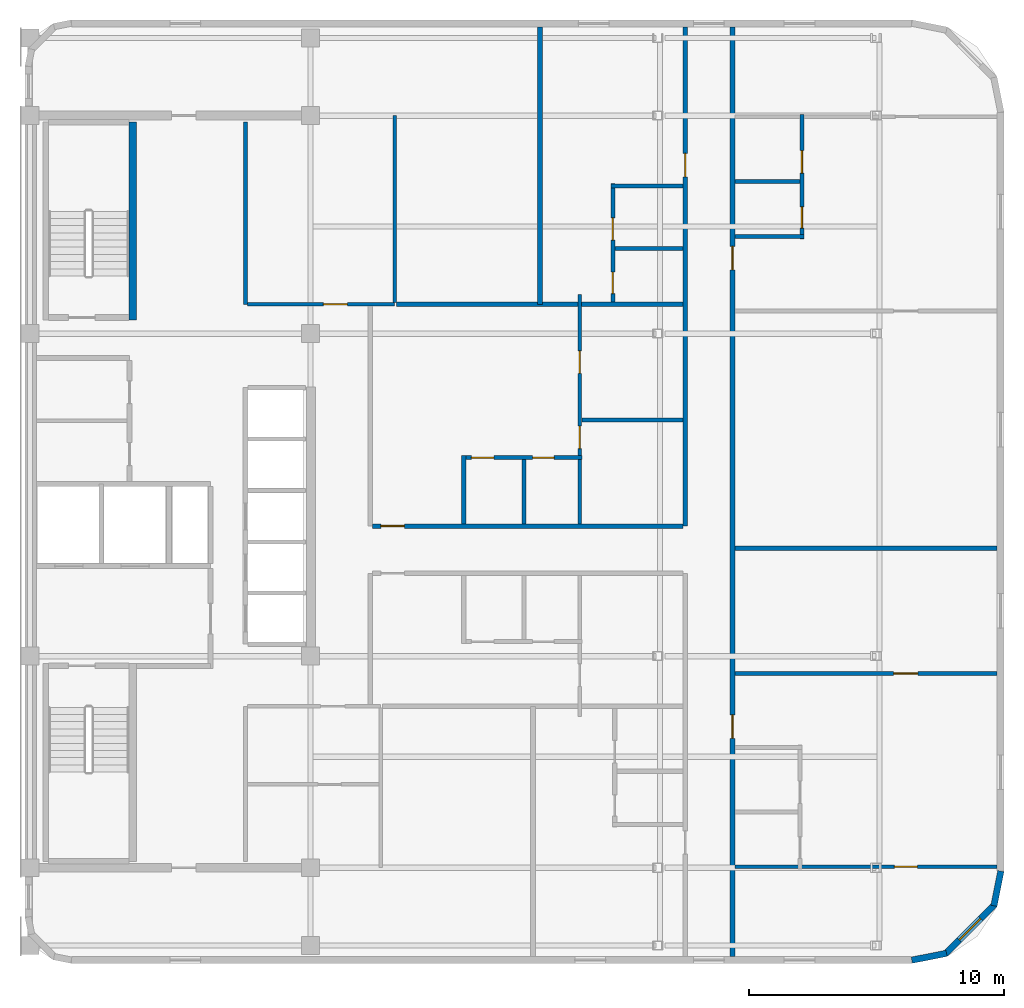
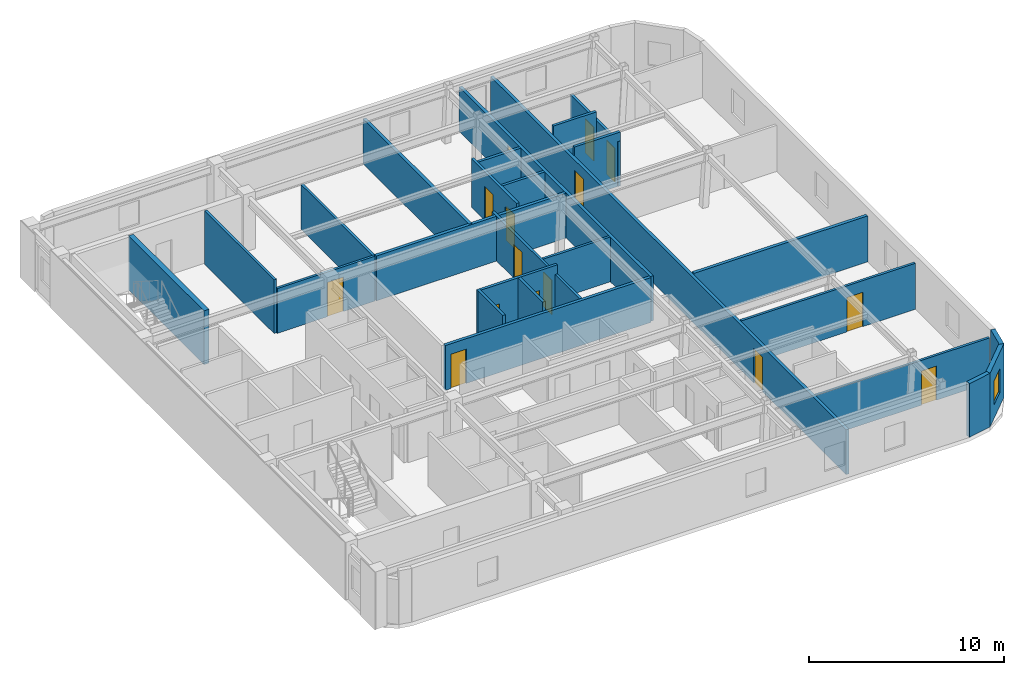
# One storey, part 4 of 6: 26 walls, 15 doors, 1 window, 16 openings.
"""IFC4 building model written with IfcOpenShell, lengths in metres."""

from ifc_helpers import new_model, si_unit, direction, frame, frame_2d, origin, place, context, subcontext, project, spatial, rectangle, extrude, material, layer, layer_set, type_object, element, fill, save


model = new_model("IFC4")

# Units and contexts
model_context = context("Model", 3, precision=1e-05, world=origin(), true_north=direction((0.0, 1.0)))
body_context = subcontext(model_context, "Body", "Model", "MODEL_VIEW")
ifc_project = project(units=[si_unit("LENGTHUNIT", "METRE"), si_unit("AREAUNIT", "SQUARE_METRE"), si_unit("VOLUMEUNIT", "CUBIC_METRE"), si_unit("PLANEANGLEUNIT", "RADIAN"), si_unit("MASSUNIT", "GRAM", prefix="KILO")], contexts=[model_context])

# Site, building, storey
site_placement = place(None, origin())
site = spatial("IfcSite", under=ifc_project, at=site_placement, CompositionType="ELEMENT")
building_placement = place(site_placement, origin())
building = spatial("IfcBuilding", under=site, at=building_placement, Name="Ochreholt Gables", CompositionType="ELEMENT")
storey_placement = place(building_placement, frame((0.0, 0.0, 253.199951171875)))
storey = spatial("IfcBuildingStorey", under=building, at=storey_placement, Name="L66", CompositionType="ELEMENT", Elevation=253.199951171875)

# Wall
ifc_material_1 = material(Name="Precast concrete 40 MPa", Category="concrete")
ifc_layer_1 = layer(ifc_material_1, 0.25, Name="Precast concrete 40 MPa")
ifc_layer_set_1 = layer_set([ifc_layer_1], Name="Precast concrete 40 MPa")
wall_type_1 = type_object("IfcWallType", Name="WALL-EXT-CNR", PredefinedType="SOLIDWALL", material=ifc_layer_set_1)
wall_1_placement = place(storey_placement, frame((58.783447265625, 5.624267578125, 0.0), z_axis=(0.0, 0.0, 1.0), x_axis=(0.980809899341, 0.19496651342, 0.0)))
element("IfcWall", 1, at=wall_1_placement, inside=storey, type_object=wall_type_1, Name="L66 Rounded Corner Wall SE-1", PredefinedType="SOLIDWALL", context=body_context, shape_type="SweptSolid", body=[
    extrude(rectangle(XDim=1.388671875, YDim=0.25, at=frame_2d((0.6943359375, 0.0))), origin(), (0.0, 0.0, 1.0), 3.360107421875),
])

# Wall, opening, window
wall_2_placement = place(storey_placement, frame((60.094970703125, 5.867919921875, 0.0), z_axis=(0.0, 0.0, 1.0), x_axis=(0.707106781187, 0.707106781187, 0.0)))
wall_2 = element("IfcWall", 2, at=wall_2_placement, inside=storey, type_object=wall_type_1, Name="L66 Rounded Corner Wall SE-2", PredefinedType="SOLIDWALL", context=body_context, shape_type="SweptSolid", body=[
    extrude(rectangle(XDim=2.7392578125, YDim=0.25, at=frame_2d((1.36962890625, 0.0))), origin(), (0.0, 0.0, 1.0), 3.360107421875),
])
opening_1_placement = place(wall_2_placement, frame((0.769775390625, 0.0, 0.85009765625)))
opening_1 = element("IfcOpeningElement", 3, at=opening_1_placement, cuts=wall_2, Name="Opening WN-3", PredefinedType="OPENING", context=body_context, shape_type="SweptSolid", body=[
    extrude(rectangle(XDim=1.199951171875, YDim=1.5, at=frame_2d((0.60009765625, 0.75))), frame((0.0, 0.135009765625, 0.0), z_axis=(0.0, -1.0, 0.0), x_axis=(1.0, 0.0, 0.0)), (0.0, 0.0, 1.0), 0.27001953125),
])
ifc_material_2 = material(Name="Triple-Glazed Thermally Broken Aluminium Window", Category="aluminium")
window_type = type_object("IfcWindowType", Name="WIN-RES-1200", PartitioningType="SINGLE_PANEL", PredefinedType="WINDOW", material=ifc_material_2)
window_placement = place(opening_1_placement, origin())
window = element("IfcWindow", 4, at=window_placement, inside=storey, type_object=window_type, Name="L66 Corner Bedroom Window SE", OverallHeight=1.5, OverallWidth=1.199951171875, PartitioningType="SINGLE_PANEL", PredefinedType="WINDOW", context=body_context, shape_type="SweptSolid", body=[
    extrude(rectangle(XDim=1.199951171875, YDim=1.5, at=frame_2d((0.60009765625, 0.75))), frame((0.0, 0.030029296875, 0.0), z_axis=(0.0, -1.0, 0.0), x_axis=(1.0, 0.0, 0.0)), (0.0, 0.0, 1.0), 0.06005859375),
])
fill(opening_1, window)

# Wall
wall_3_placement = place(storey_placement, frame((62.0048828125, 7.75439453125, 0.0), z_axis=(0.0, 0.0, 1.0), x_axis=(0.195135625965, 0.9807762678, 0.0)))
element("IfcWall", 5, at=wall_3_placement, inside=storey, type_object=wall_type_1, Name="L66 Rounded Corner Wall SE-3", PredefinedType="SOLIDWALL", context=body_context, shape_type="SweptSolid", body=[
    extrude(rectangle(XDim=1.388671875, YDim=0.25, at=frame_2d((0.6943359375, 0.0))), origin(), (0.0, 0.0, 1.0), 3.360107421875),
])

# Wall, opening, door
ifc_material_3 = material(Name="Fire-Rated Gypsum Acoustic Partition", Category="gypsum")
ifc_layer_2 = layer(ifc_material_3, 0.179931640625, Name="Fire-Rated Gypsum Acoustic Partition")
ifc_layer_set_2 = layer_set([ifc_layer_2], Name="Fire-Rated Gypsum Acoustic Partition")
wall_type_2 = type_object("IfcWallType", Name="WALL-INT-CR180", PredefinedType="STANDARD", material=ifc_layer_set_2)
wall_4_placement = place(storey_placement, frame((49.89990234375, 22.64990234375, 0.0), z_axis=(0.0, 0.0, 1.0), x_axis=(0.0, 1.0, 0.0)))
wall_4 = element("IfcWall", 6, at=wall_4_placement, inside=storey, type_object=wall_type_2, Name="L66 Interior Wall WI-C3GW2-L66", PredefinedType="STANDARD", context=body_context, shape_type="SweptSolid", body=[
    extrude(rectangle(XDim=19.580078125, YDim=0.179931640625, at=frame_2d((9.7900390625, 0.0))), origin(), (0.0, 0.0, 1.0), 2.802978515625),
])
opening_2_placement = place(wall_4_placement, frame((13.699951171875, 0.0, 0.0)))
opening_2 = element("IfcOpeningElement", 7, at=opening_2_placement, cuts=wall_4, Name="Opening D-UN1", PredefinedType="OPENING", context=body_context, shape_type="SweptSolid", body=[
    extrude(rectangle(XDim=0.919921875, YDim=2.14990234375, at=frame_2d((0.4599609375, 1.074951171875))), frame((0.0, 0.099853515625, 0.0), z_axis=(0.0, -1.0, 0.0), x_axis=(1.0, 0.0, 0.0)), (0.0, 0.0, 1.0), 0.199951171875),
])
ifc_material_4 = material(Name="Engineered Oak Timber", Category="wood")
door_type_1 = type_object("IfcDoorType", Name="DR-INT-UNT920", OperationType="NOTDEFINED", PredefinedType="DOOR", material=ifc_material_4)
door_1_placement = place(opening_2_placement, origin())
door_1 = element("IfcDoor", 8, at=door_1_placement, inside=storey, type_object=door_type_1, Name="L66 Door D-U-L66NM2-ENT", OperationType="SINGLE_SWING_LEFT", OverallHeight=2.14990234375, OverallWidth=0.919921875, PredefinedType="DOOR", context=body_context, shape_type="SweptSolid", body=[
    extrude(rectangle(XDim=0.919921875, YDim=2.14990234375, at=frame_2d((0.4599609375, 1.074951171875))), frame((0.0, 0.02490234375, 0.0), z_axis=(0.0, -1.0, 0.0), x_axis=(1.0, 0.0, 0.0)), (0.0, 0.0, 1.0), 0.050048828125),
])
fill(opening_2, door_1)

wall_5_placement = place(storey_placement, frame((37.639892578125, 22.64990234375, 0.0), z_axis=(0.0, 0.0, 1.0), x_axis=(1.0, 0.0, 0.0)))
wall_5 = element("IfcWall", 9, at=wall_5_placement, inside=storey, type_object=wall_type_2, Name="L66 Interior Wall WI-C3BRN1-L66", PredefinedType="STANDARD", context=body_context, shape_type="SweptSolid", body=[
    extrude(rectangle(XDim=12.170166015625, YDim=0.179931640625, at=frame_2d((6.0849609375, 0.0))), origin(), (0.0, 0.0, 1.0), 2.802978515625),
])
opening_3_placement = place(wall_5_placement, frame((0.320068359375, 0.0, 0.0)))
opening_3 = element("IfcOpeningElement", 10, at=opening_3_placement, cuts=wall_5, Name="Opening D-UN1", PredefinedType="OPENING", context=body_context, shape_type="SweptSolid", body=[
    extrude(rectangle(XDim=0.919921875, YDim=2.14990234375, at=frame_2d((0.4599609375, 1.074951171875))), frame((0.0, 0.099853515625, 0.0), z_axis=(0.0, -1.0, 0.0), x_axis=(1.0, 0.0, 0.0)), (0.0, 0.0, 1.0), 0.199951171875),
])
door_2_placement = place(opening_3_placement, origin())
door_2 = element("IfcDoor", 11, at=door_2_placement, inside=storey, type_object=door_type_1, Name="L66 Door D-U-L66NM1-ENT", OperationType="SINGLE_SWING_RIGHT", OverallHeight=2.14990234375, OverallWidth=0.919921875, PredefinedType="DOOR", context=body_context, shape_type="SweptSolid", body=[
    extrude(rectangle(XDim=0.919921875, YDim=2.14990234375, at=frame_2d((0.4599609375, 1.074951171875))), frame((0.0, 0.02490234375, 0.0), z_axis=(0.0, -1.0, 0.0), x_axis=(1.0, 0.0, 0.0)), (0.0, 0.0, 1.0), 0.050048828125),
])
fill(opening_3, door_2)

# Wall, openings, doors
wall_6_placement = place(storey_placement, frame((51.75, 5.77001953125, 0.0), z_axis=(0.0, 0.0, 1.0), x_axis=(0.0, 1.0, 0.0)))
wall_6 = element("IfcWall", 12, at=wall_6_placement, inside=storey, type_object=wall_type_2, Name="L66 Interior Wall WI-C3GE-L66", PredefinedType="STANDARD", context=body_context, shape_type="SweptSolid", body=[
    extrude(rectangle(XDim=36.4599609375, YDim=0.179931640625, at=frame_2d((18.22998046875, 0.0))), origin(), (0.0, 0.0, 1.0), 2.802978515625),
])
opening_4_placement = place(wall_6_placement, frame((8.55859375, 0.0, 0.0)))
opening_4 = element("IfcOpeningElement", 13, at=opening_4_placement, cuts=wall_6, Name="Opening D-UN1", PredefinedType="OPENING", context=body_context, shape_type="SweptSolid", body=[
    extrude(rectangle(XDim=0.919921875, YDim=2.14990234375, at=frame_2d((0.4599609375, 1.074951171875))), frame((0.0, 0.099853515625, 0.0), z_axis=(0.0, -1.0, 0.0), x_axis=(1.0, 0.0, 0.0)), (0.0, 0.0, 1.0), 0.199951171875),
])
opening_5_placement = place(wall_6_placement, frame((26.93310546875, 0.0, 0.0)))
opening_5 = element("IfcOpeningElement", 14, at=opening_5_placement, cuts=wall_6, Name="Opening D-UN1", PredefinedType="OPENING", context=body_context, shape_type="SweptSolid", body=[
    extrude(rectangle(XDim=0.919921875, YDim=2.14990234375, at=frame_2d((0.4599609375, 1.074951171875))), frame((0.0, 0.099853515625, 0.0), z_axis=(0.0, -1.0, 0.0), x_axis=(1.0, 0.0, 0.0)), (0.0, 0.0, 1.0), 0.199951171875),
])
door_3_placement = place(opening_4_placement, origin())
door_3 = element("IfcDoor", 15, at=door_3_placement, inside=storey, type_object=door_type_1, Name="L66 Door D-U-L66E1-ENT", OperationType="SINGLE_SWING_RIGHT", OverallHeight=2.14990234375, OverallWidth=0.919921875, PredefinedType="DOOR", context=body_context, shape_type="SweptSolid", body=[
    extrude(rectangle(XDim=0.919921875, YDim=2.14990234375, at=frame_2d((0.4599609375, 1.074951171875))), frame((0.0, 0.02490234375, 0.0), z_axis=(0.0, -1.0, 0.0), x_axis=(1.0, 0.0, 0.0)), (0.0, 0.0, 1.0), 0.050048828125),
])
fill(opening_4, door_3)
door_4_placement = place(opening_5_placement, origin())
door_4 = element("IfcDoor", 16, at=door_4_placement, inside=storey, type_object=door_type_1, Name="L66 Door D-U-L66E2-ENT", OperationType="SINGLE_SWING_LEFT", OverallHeight=2.14990234375, OverallWidth=0.919921875, PredefinedType="DOOR", context=body_context, shape_type="SweptSolid", body=[
    extrude(rectangle(XDim=0.919921875, YDim=2.14990234375, at=frame_2d((0.4599609375, 1.074951171875))), frame((0.0, 0.02490234375, 0.0), z_axis=(0.0, -1.0, 0.0), x_axis=(1.0, 0.0, 0.0)), (0.0, 0.0, 1.0), 0.050048828125),
])
fill(opening_5, door_4)

# Walls
ifc_material_5 = material(Name="Double-Stud Acoustic Demising Wall", Category="gypsum")
ifc_layer_3 = layer(ifc_material_5, 0.18505859375, Name="Double-Stud Acoustic Demising Wall")
ifc_layer_set_3 = layer_set([ifc_layer_3], Name="Double-Stud Acoustic Demising Wall")
wall_type_3 = type_object("IfcWallType", Name="WALL-INT-DM185", PredefinedType="PARTITIONING", material=ifc_layer_set_3)
wall_7_placement = place(storey_placement, frame((51.840087890625, 21.780029296875, 0.0), z_axis=(0.0, 0.0, 1.0), x_axis=(1.0, 0.0, 0.0)))
element("IfcWall", 17, at=wall_7_placement, inside=storey, type_object=wall_type_3, Name="L66 Interior Wall WI-C3UDE2-L66", PredefinedType="PARTITIONING", context=body_context, shape_type="SweptSolid", body=[
    extrude(rectangle(XDim=10.289794921875, YDim=0.18505859375, at=frame_2d((5.14501953125, 0.0))), origin(), (0.0, 0.0, 1.0), 2.879150390625),
])
wall_8_placement = place(storey_placement, frame((44.199951171875, 31.35009765625, 0.0), z_axis=(0.0, 0.0, 1.0), x_axis=(0.0, 1.0, 0.0)))
element("IfcWall", 18, at=wall_8_placement, inside=storey, type_object=wall_type_3, Name="L66 Interior Wall WI-C3NMX-L66", PredefinedType="PARTITIONING", context=body_context, shape_type="SweptSolid", body=[
    extrude(rectangle(XDim=10.8798828125, YDim=0.18505859375, at=frame_2d((5.43994140625, 0.0))), origin(), (0.0, 0.0, 1.0), 2.802978515625),
])
wall_9_placement = place(storey_placement, frame((38.572509765625, 31.35009765625, 0.0), z_axis=(0.0, 0.0, 1.0), x_axis=(1.0, 0.0, 0.0)))
element("IfcWall", 19, at=wall_9_placement, inside=storey, type_object=wall_type_3, Name="L66 Interior Wall WI-C3NMY-L66", PredefinedType="PARTITIONING", context=body_context, shape_type="SweptSolid", body=[
    extrude(rectangle(XDim=11.237548828125, YDim=0.18505859375, at=frame_2d((5.61865234375, 0.0))), origin(), (0.0, 0.0, 1.0), 2.802978515625),
])
ifc_material_6 = material(Name="Moisture-Resistant Plumbing Chase Wall", Category="gypsum")
ifc_layer_4 = layer(ifc_material_6, 0.159912109375, Name="Moisture-Resistant Plumbing Chase Wall")
ifc_layer_set_4 = layer_set([ifc_layer_4], Name="Moisture-Resistant Plumbing Chase Wall")
wall_type_4 = type_object("IfcWallType", Name="WALL-INT-PL160", PredefinedType="PLUMBINGWALL", material=ifc_layer_set_4)
wall_10_placement = place(storey_placement, frame((51.840087890625, 34.0029296875, 0.0), z_axis=(0.0, 0.0, 1.0), x_axis=(1.0, 0.0, 0.0)))
element("IfcWall", 20, at=wall_10_placement, inside=storey, type_object=wall_type_4, Name="L66 Interior Wall WU-L66E2-FYS", PredefinedType="PLUMBINGWALL", context=body_context, shape_type="SweptSolid", body=[
    extrude(rectangle(XDim=2.7119140625, YDim=0.159912109375, at=frame_2d((1.35595703125, 0.0))), origin(), (0.0, 0.0, 1.0), 3.360107421875),
])

# Wall, openings, doors
wall_11_placement = place(storey_placement, frame((54.471923828125, 33.9130859375, 0.0), z_axis=(0.0, 0.0, 1.0), x_axis=(0.0, 1.0, 0.0)))
wall_11 = element("IfcWall", 21, at=wall_11_placement, inside=storey, type_object=wall_type_4, Name="L66 Interior Wall WU-L66E2-WX", PredefinedType="PLUMBINGWALL", context=body_context, shape_type="SweptSolid", body=[
    extrude(rectangle(XDim=4.886962890625, YDim=0.159912109375, at=frame_2d((2.443359375, 0.0))), origin(), (0.0, 0.0, 1.0), 2.802978515625),
])
opening_6_placement = place(wall_11_placement, frame((0.419921875, 0.0, 0.0)))
opening_6 = element("IfcOpeningElement", 22, at=opening_6_placement, cuts=wall_11, Name="Opening D-BT2", PredefinedType="OPENING", context=body_context, shape_type="SweptSolid", body=[
    extrude(rectangle(XDim=0.840087890625, YDim=2.1201171875, at=frame_2d((0.419921875, 1.06005859375))), frame((0.0, 0.08984375, 0.0), z_axis=(0.0, -1.0, 0.0), x_axis=(1.0, 0.0, 0.0)), (0.0, 0.0, 1.0), 0.179931640625),
])
opening_7_placement = place(wall_11_placement, frame((2.585205078125, 0.0, 0.0)))
opening_7 = element("IfcOpeningElement", 23, at=opening_7_placement, cuts=wall_11, Name="Opening D-GN2", PredefinedType="OPENING", context=body_context, shape_type="SweptSolid", body=[
    extrude(rectangle(XDim=0.8798828125, YDim=2.1201171875, at=frame_2d((0.43994140625, 1.06005859375))), frame((0.0, 0.08984375, 0.0), z_axis=(0.0, -1.0, 0.0), x_axis=(1.0, 0.0, 0.0)), (0.0, 0.0, 1.0), 0.179931640625),
])
door_type_2 = type_object("IfcDoorType", Name="DR-INT-BTH840", OperationType="NOTDEFINED", PredefinedType="DOOR", material=ifc_material_4)
door_5_placement = place(opening_6_placement, origin())
door_5 = element("IfcDoor", 24, at=door_5_placement, inside=storey, type_object=door_type_2, Name="L66 Door D-U-L66E2-BTH", OperationType="SINGLE_SWING_RIGHT", OverallHeight=2.1201171875, OverallWidth=0.840087890625, PredefinedType="DOOR", context=body_context, shape_type="SweptSolid", body=[
    extrude(rectangle(XDim=0.840087890625, YDim=2.1201171875, at=frame_2d((0.419921875, 1.06005859375))), frame((0.0, 0.02490234375, 0.0), z_axis=(0.0, -1.0, 0.0), x_axis=(1.0, 0.0, 0.0)), (0.0, 0.0, 1.0), 0.050048828125),
])
fill(opening_6, door_5)
door_type_3 = type_object("IfcDoorType", Name="DR-INT-GEN880", OperationType="NOTDEFINED", PredefinedType="DOOR", material=ifc_material_4)
door_6_placement = place(opening_7_placement, origin())
door_6 = element("IfcDoor", 25, at=door_6_placement, inside=storey, type_object=door_type_3, Name="L66 Door D-U-L66E2-KIT", OperationType="SINGLE_SWING_LEFT", OverallHeight=2.1201171875, OverallWidth=0.8798828125, PredefinedType="DOOR", context=body_context, shape_type="SweptSolid", body=[
    extrude(rectangle(XDim=0.8798828125, YDim=2.1201171875, at=frame_2d((0.43994140625, 1.06005859375))), frame((0.0, 0.02490234375, 0.0), z_axis=(0.0, -1.0, 0.0), x_axis=(1.0, 0.0, 0.0)), (0.0, 0.0, 1.0), 0.050048828125),
])
fill(opening_7, door_6)

# Wall
wall_12_placement = place(storey_placement, frame((51.840087890625, 36.168212890625, 0.0), z_axis=(0.0, 0.0, 1.0), x_axis=(1.0, 0.0, 0.0)))
element("IfcWall", 26, at=wall_12_placement, inside=storey, type_object=wall_type_4, Name="L66 Interior Wall WU-L66E2-WK", PredefinedType="PLUMBINGWALL", context=body_context, shape_type="SweptSolid", body=[
    extrude(rectangle(XDim=2.552001953125, YDim=0.159912109375, at=frame_2d((1.27587890625, 0.0))), origin(), (0.0, 0.0, 1.0), 3.360107421875),
])

# Wall, openings, doors
wall_13_placement = place(storey_placement, frame((41.1298828125, 25.33251953125, 0.0), z_axis=(0.0, 0.0, 1.0), x_axis=(1.0, 0.0, 0.0)))
wall_13 = element("IfcWall", 27, at=wall_13_placement, inside=storey, type_object=wall_type_4, Name="L66 Interior Wall WU-L66NM1-WY", PredefinedType="PLUMBINGWALL", context=body_context, shape_type="SweptSolid", body=[
    extrude(rectangle(XDim=4.710205078125, YDim=0.159912109375, at=frame_2d((2.35498046875, 0.0))), origin(), (0.0, 0.0, 1.0), 3.360107421875),
])
opening_8_placement = place(wall_13_placement, frame((0.3798828125, 0.0, 0.0)))
opening_8 = element("IfcOpeningElement", 28, at=opening_8_placement, cuts=wall_13, Name="Opening D-GN2", PredefinedType="OPENING", context=body_context, shape_type="SweptSolid", body=[
    extrude(rectangle(XDim=0.8798828125, YDim=2.1201171875, at=frame_2d((0.43994140625, 1.06005859375))), frame((0.0, 0.08984375, 0.0), z_axis=(0.0, -1.0, 0.0), x_axis=(1.0, 0.0, 0.0)), (0.0, 0.0, 1.0), 0.179931640625),
])
opening_9_placement = place(wall_13_placement, frame((2.785888671875, 0.0, 0.0)))
opening_9 = element("IfcOpeningElement", 29, at=opening_9_placement, cuts=wall_13, Name="Opening D-BT2", PredefinedType="OPENING", context=body_context, shape_type="SweptSolid", body=[
    extrude(rectangle(XDim=0.840087890625, YDim=2.1201171875, at=frame_2d((0.419921875, 1.06005859375))), frame((0.0, 0.08984375, 0.0), z_axis=(0.0, -1.0, 0.0), x_axis=(1.0, 0.0, 0.0)), (0.0, 0.0, 1.0), 0.179931640625),
])
door_7_placement = place(opening_9_placement, origin())
door_7 = element("IfcDoor", 30, at=door_7_placement, inside=storey, type_object=door_type_2, Name="L66 Door D-U-L66NM1-BTH", OperationType="SINGLE_SWING_RIGHT", OverallHeight=2.1201171875, OverallWidth=0.840087890625, PredefinedType="DOOR", context=body_context, shape_type="SweptSolid", body=[
    extrude(rectangle(XDim=0.840087890625, YDim=2.1201171875, at=frame_2d((0.419921875, 1.06005859375))), frame((0.0, 0.02490234375, 0.0), z_axis=(0.0, -1.0, 0.0), x_axis=(1.0, 0.0, 0.0)), (0.0, 0.0, 1.0), 0.050048828125),
])
fill(opening_9, door_7)
door_8_placement = place(opening_8_placement, origin())
door_8 = element("IfcDoor", 31, at=door_8_placement, inside=storey, type_object=door_type_3, Name="L66 Door D-U-L66NM1-KIT", OperationType="SINGLE_SWING_LEFT", OverallHeight=2.1201171875, OverallWidth=0.8798828125, PredefinedType="DOOR", context=body_context, shape_type="SweptSolid", body=[
    extrude(rectangle(XDim=0.8798828125, YDim=2.1201171875, at=frame_2d((0.43994140625, 1.06005859375))), frame((0.0, 0.02490234375, 0.0), z_axis=(0.0, -1.0, 0.0), x_axis=(1.0, 0.0, 0.0)), (0.0, 0.0, 1.0), 0.050048828125),
])
fill(opening_8, door_8)

# Walls
wall_14_placement = place(storey_placement, frame((41.2099609375, 22.739990234375, 0.0), z_axis=(0.0, 0.0, 1.0), x_axis=(0.0, 1.0, 0.0)))
element("IfcWall", 32, at=wall_14_placement, inside=storey, type_object=wall_type_4, Name="L66 Interior Wall WU-L66NM1-FY", PredefinedType="PLUMBINGWALL", context=body_context, shape_type="SweptSolid", body=[
    extrude(rectangle(XDim=2.672607421875, YDim=0.159912109375, at=frame_2d((1.33642578125, 0.0))), origin(), (0.0, 0.0, 1.0), 3.360107421875),
])
wall_15_placement = place(storey_placement, frame((43.575927734375, 22.739990234375, 0.0), z_axis=(0.0, 0.0, 1.0), x_axis=(0.0, 1.0, 0.0)))
element("IfcWall", 33, at=wall_15_placement, inside=storey, type_object=wall_type_4, Name="L66 Interior Wall WU-L66NM1-WK", PredefinedType="PLUMBINGWALL", context=body_context, shape_type="SweptSolid", body=[
    extrude(rectangle(XDim=2.512451171875, YDim=0.159912109375, at=frame_2d((1.25634765625, 0.0))), origin(), (0.0, 0.0, 1.0), 3.360107421875),
])
wall_16_placement = place(storey_placement, frame((46.97607421875, 35.989990234375, 0.0), z_axis=(0.0, 0.0, 1.0), x_axis=(1.0, 0.0, 0.0)))
element("IfcWall", 34, at=wall_16_placement, inside=storey, type_object=wall_type_4, Name="L66 Interior Wall WU-L66NM2-WYN", PredefinedType="PLUMBINGWALL", context=body_context, shape_type="SweptSolid", body=[
    extrude(rectangle(XDim=2.833984375, YDim=0.159912109375, at=frame_2d((1.4169921875, 0.0))), origin(), (0.0, 0.0, 1.0), 2.802978515625),
])

# Wall, openings, doors
wall_17_placement = place(storey_placement, frame((47.055908203125, 31.4423828125, 0.0), z_axis=(0.0, 0.0, 1.0), x_axis=(0.0, 1.0, 0.0)))
wall_17 = element("IfcWall", 35, at=wall_17_placement, inside=storey, type_object=wall_type_4, Name="L66 Interior Wall WU-L66NM2-WX", PredefinedType="PLUMBINGWALL", context=body_context, shape_type="SweptSolid", body=[
    extrude(rectangle(XDim=4.6376953125, YDim=0.159912109375, at=frame_2d((2.31884765625, 0.0))), origin(), (0.0, 0.0, 1.0), 3.0390625),
])
opening_10_placement = place(wall_17_placement, frame((0.327392578125, 0.0, 0.0)))
opening_10 = element("IfcOpeningElement", 36, at=opening_10_placement, cuts=wall_17, Name="Opening D-BT2", PredefinedType="OPENING", context=body_context, shape_type="SweptSolid", body=[
    extrude(rectangle(XDim=0.840087890625, YDim=2.1201171875, at=frame_2d((0.419921875, 1.06005859375))), frame((0.0, 0.08984375, 0.0), z_axis=(0.0, -1.0, 0.0), x_axis=(1.0, 0.0, 0.0)), (0.0, 0.0, 1.0), 0.179931640625),
])
opening_11_placement = place(wall_17_placement, frame((2.42041015625, 0.0, 0.0)))
opening_11 = element("IfcOpeningElement", 37, at=opening_11_placement, cuts=wall_17, Name="Opening D-GN2", PredefinedType="OPENING", context=body_context, shape_type="SweptSolid", body=[
    extrude(rectangle(XDim=0.8798828125, YDim=2.1201171875, at=frame_2d((0.43994140625, 1.06005859375))), frame((0.0, 0.08984375, 0.0), z_axis=(0.0, -1.0, 0.0), x_axis=(1.0, 0.0, 0.0)), (0.0, 0.0, 1.0), 0.179931640625),
])
door_9_placement = place(opening_10_placement, origin())
door_9 = element("IfcDoor", 38, at=door_9_placement, inside=storey, type_object=door_type_2, Name="L66 Door D-U-L66NM2-BTH", OperationType="SINGLE_SWING_RIGHT", OverallHeight=2.1201171875, OverallWidth=0.840087890625, PredefinedType="DOOR", context=body_context, shape_type="SweptSolid", body=[
    extrude(rectangle(XDim=0.840087890625, YDim=2.1201171875, at=frame_2d((0.419921875, 1.06005859375))), frame((0.0, 0.02490234375, 0.0), z_axis=(0.0, -1.0, 0.0), x_axis=(1.0, 0.0, 0.0)), (0.0, 0.0, 1.0), 0.050048828125),
])
fill(opening_10, door_9)
door_10_placement = place(opening_11_placement, origin())
door_10 = element("IfcDoor", 39, at=door_10_placement, inside=storey, type_object=door_type_3, Name="L66 Door D-U-L66NM2-KIT", OperationType="SINGLE_SWING_LEFT", OverallHeight=2.1201171875, OverallWidth=0.8798828125, PredefinedType="DOOR", context=body_context, shape_type="SweptSolid", body=[
    extrude(rectangle(XDim=0.8798828125, YDim=2.1201171875, at=frame_2d((0.43994140625, 1.06005859375))), frame((0.0, 0.02490234375, 0.0), z_axis=(0.0, -1.0, 0.0), x_axis=(1.0, 0.0, 0.0)), (0.0, 0.0, 1.0), 0.050048828125),
])
fill(opening_11, door_10)

# Walls
wall_18_placement = place(storey_placement, frame((47.135986328125, 33.532958984375, 0.0), z_axis=(0.0, 0.0, 1.0), x_axis=(1.0, 0.0, 0.0)))
element("IfcWall", 40, at=wall_18_placement, inside=storey, type_object=wall_type_4, Name="L66 Interior Wall WU-L66NM2-WM", PredefinedType="PLUMBINGWALL", context=body_context, shape_type="SweptSolid", body=[
    extrude(rectangle(XDim=2.674072265625, YDim=0.159912109375, at=frame_2d((1.3369140625, 0.0))), origin(), (0.0, 0.0, 1.0), 2.802978515625),
])
ifc_material_7 = material(Name="Lightweight Stud Partition", Category="gypsum")
ifc_layer_5 = layer(ifc_material_7, 0.14501953125, Name="Lightweight Stud Partition")
ifc_layer_set_5 = layer_set([ifc_layer_5], Name="Lightweight Stud Partition")
wall_type_5 = type_object("IfcWallType", Name="WALL-INT-PT145", PredefinedType="PARTITIONING", material=ifc_layer_set_5)
wall_19_placement = place(storey_placement, frame((32.64990234375, 31.35009765625, 0.0), z_axis=(0.0, 0.0, 1.0), x_axis=(0.0, 1.0, 0.0)))
element("IfcWall", 41, at=wall_19_placement, inside=storey, type_object=wall_type_5, Name="L66 Interior Wall WI-RCM-W-L66", PredefinedType="PARTITIONING", context=body_context, shape_type="SweptSolid", body=[
    extrude(rectangle(XDim=7.14990234375, YDim=0.14501953125, at=frame_2d((3.574951171875, 0.0))), origin(), (0.0, 0.0, 1.0), 3.360107421875),
])

# Wall, opening, door
wall_20_placement = place(storey_placement, frame((32.722412109375, 31.35009765625, 0.0), z_axis=(0.0, 0.0, 1.0), x_axis=(1.0, 0.0, 0.0)))
wall_20 = element("IfcWall", 42, at=wall_20_placement, inside=storey, type_object=wall_type_5, Name="L66 Interior Wall WI-RCM-S-L66", PredefinedType="PARTITIONING", context=body_context, shape_type="SweptSolid", body=[
    extrude(rectangle(XDim=5.777587890625, YDim=0.14501953125, at=frame_2d((2.888671875, 0.0))), origin(), (0.0, 0.0, 1.0), 2.802978515625),
])
opening_12_placement = place(wall_20_placement, frame((2.9775390625, 0.0, 0.0)))
opening_12 = element("IfcOpeningElement", 43, at=opening_12_placement, cuts=wall_20, Name="Opening D-GN1", PredefinedType="OPENING", context=body_context, shape_type="SweptSolid", body=[
    extrude(rectangle(XDim=0.949951171875, YDim=2.14990234375, at=frame_2d((0.47509765625, 1.074951171875))), frame((0.0, 0.08251953125, 0.0), z_axis=(0.0, -1.0, 0.0), x_axis=(1.0, 0.0, 0.0)), (0.0, 0.0, 1.0), 0.1650390625),
])
door_type_4 = type_object("IfcDoorType", Name="DR-INT-GEN950", OperationType="NOTDEFINED", PredefinedType="DOOR", material=ifc_material_4)
door_11_placement = place(opening_12_placement, origin())
door_11 = element("IfcDoor", 44, at=door_11_placement, inside=storey, type_object=door_type_4, Name="L66 Door D-RCM-L66", OperationType="SINGLE_SWING_RIGHT", OverallHeight=2.14990234375, OverallWidth=0.949951171875, PredefinedType="DOOR", context=body_context, shape_type="SweptSolid", body=[
    extrude(rectangle(XDim=0.949951171875, YDim=2.14990234375, at=frame_2d((0.47509765625, 1.074951171875))), frame((0.0, 0.02490234375, 0.0), z_axis=(0.0, -1.0, 0.0), x_axis=(1.0, 0.0, 0.0)), (0.0, 0.0, 1.0), 0.050048828125),
])
fill(opening_12, door_11)

# Wall
wall_21_placement = place(storey_placement, frame((38.5, 31.422607421875, 0.0), z_axis=(0.0, 0.0, 1.0), x_axis=(0.0, 1.0, 0.0)))
element("IfcWall", 45, at=wall_21_placement, inside=storey, type_object=wall_type_5, Name="L66 Interior Wall WI-RCM-E-L66", PredefinedType="PARTITIONING", context=body_context, shape_type="SweptSolid", body=[
    extrude(rectangle(XDim=7.327392578125, YDim=0.14501953125, at=frame_2d((3.66357421875, 0.0))), origin(), (0.0, 0.0, 1.0), 2.802978515625),
])

# Wall, opening, door
wall_22_placement = place(storey_placement, frame((51.840087890625, 9.2900390625, 0.0), z_axis=(0.0, 0.0, 1.0), x_axis=(1.0, 0.0, 0.0)))
wall_22 = element("IfcWall", 46, at=wall_22_placement, inside=storey, type_object=wall_type_5, Name="L66 Interior Wall WU-L66E1-MN", PredefinedType="PARTITIONING", context=body_context, shape_type="SweptSolid", body=[
    extrude(rectangle(XDim=10.289794921875, YDim=0.14501953125, at=frame_2d((5.14501953125, 0.0))), origin(), (0.0, 0.0, 1.0), 2.802978515625),
])
opening_13_placement = place(wall_22_placement, frame((6.262939453125, 0.0, 0.0)))
opening_13 = element("IfcOpeningElement", 47, at=opening_13_placement, cuts=wall_22, Name="Opening D-BD1", PredefinedType="OPENING", context=body_context, shape_type="SweptSolid", body=[
    extrude(rectangle(XDim=0.89990234375, YDim=2.139892578125, at=frame_2d((0.449951171875, 1.06982421875))), frame((0.0, 0.08251953125, 0.0), z_axis=(0.0, -1.0, 0.0), x_axis=(1.0, 0.0, 0.0)), (0.0, 0.0, 1.0), 0.1650390625),
])
door_type_5 = type_object("IfcDoorType", Name="DR-INT-BED900", OperationType="NOTDEFINED", PredefinedType="DOOR", material=ifc_material_4)
door_12_placement = place(opening_13_placement, origin())
door_12 = element("IfcDoor", 48, at=door_12_placement, inside=storey, type_object=door_type_5, Name="L66 Door D-U-L66E1-BD1", OperationType="SINGLE_SWING_LEFT", OverallHeight=2.139892578125, OverallWidth=0.89990234375, PredefinedType="DOOR", context=body_context, shape_type="SweptSolid", body=[
    extrude(rectangle(XDim=0.89990234375, YDim=2.139892578125, at=frame_2d((0.449951171875, 1.06982421875))), frame((0.0, 0.02490234375, 0.0), z_axis=(0.0, -1.0, 0.0), x_axis=(1.0, 0.0, 0.0)), (0.0, 0.0, 1.0), 0.050048828125),
])
fill(opening_13, door_12)

wall_23_placement = place(storey_placement, frame((51.840087890625, 16.868896484375, 0.0), z_axis=(0.0, 0.0, 1.0), x_axis=(1.0, 0.0, 0.0)))
wall_23 = element("IfcWall", 49, at=wall_23_placement, inside=storey, type_object=wall_type_5, Name="L66 Interior Wall WU-L66E1-DNW", PredefinedType="PARTITIONING", context=body_context, shape_type="SweptSolid", body=[
    extrude(rectangle(XDim=10.289794921875, YDim=0.14501953125, at=frame_2d((5.14501953125, 0.0))), origin(), (0.0, 0.0, 1.0), 2.879150390625),
])
opening_14_placement = place(wall_23_placement, frame((6.235107421875, 0.0, 0.0)))
opening_14 = element("IfcOpeningElement", 50, at=opening_14_placement, cuts=wall_23, Name="Opening D-GN1", PredefinedType="OPENING", context=body_context, shape_type="SweptSolid", body=[
    extrude(rectangle(XDim=0.949951171875, YDim=2.14990234375, at=frame_2d((0.47509765625, 1.074951171875))), frame((0.0, 0.08251953125, 0.0), z_axis=(0.0, -1.0, 0.0), x_axis=(1.0, 0.0, 0.0)), (0.0, 0.0, 1.0), 0.1650390625),
])
door_13_placement = place(opening_14_placement, origin())
door_13 = element("IfcDoor", 51, at=door_13_placement, inside=storey, type_object=door_type_4, Name="L66 Door D-U-L66E1-DIN", OperationType="SINGLE_SWING_LEFT", OverallHeight=2.14990234375, OverallWidth=0.949951171875, PredefinedType="DOOR", context=body_context, shape_type="SweptSolid", body=[
    extrude(rectangle(XDim=0.949951171875, YDim=2.14990234375, at=frame_2d((0.47509765625, 1.074951171875))), frame((0.0, 0.02490234375, 0.0), z_axis=(0.0, -1.0, 0.0), x_axis=(1.0, 0.0, 0.0)), (0.0, 0.0, 1.0), 0.050048828125),
])
fill(opening_14, door_13)

# Wall, openings, doors
wall_24_placement = place(storey_placement, frame((45.760009765625, 22.739990234375, 0.0), z_axis=(0.0, 0.0, 1.0), x_axis=(0.0, 1.0, 0.0)))
wall_24 = element("IfcWall", 52, at=wall_24_placement, inside=storey, type_object=wall_type_5, Name="L66 Interior Wall WU-L66NM1-MNX", PredefinedType="PARTITIONING", context=body_context, shape_type="SweptSolid", body=[
    extrude(rectangle(XDim=9.0, YDim=0.14501953125, at=frame_2d((4.5, 0.0))), origin(), (0.0, 0.0, 1.0), 2.802978515625),
])
opening_15_placement = place(wall_24_placement, frame((2.952392578125, 0.0, 0.0)))
opening_15 = element("IfcOpeningElement", 53, at=opening_15_placement, cuts=wall_24, Name="Opening D-BD2", PredefinedType="OPENING", context=body_context, shape_type="SweptSolid", body=[
    extrude(rectangle(XDim=0.8798828125, YDim=2.139892578125, at=frame_2d((0.43994140625, 1.06982421875))), frame((0.0, 0.08251953125, 0.0), z_axis=(0.0, -1.0, 0.0), x_axis=(1.0, 0.0, 0.0)), (0.0, 0.0, 1.0), 0.1650390625),
])
opening_16_placement = place(wall_24_placement, frame((5.9013671875, 0.0, 0.0)))
opening_16 = element("IfcOpeningElement", 54, at=opening_16_placement, cuts=wall_24, Name="Opening D-GN2", PredefinedType="OPENING", context=body_context, shape_type="SweptSolid", body=[
    extrude(rectangle(XDim=0.8798828125, YDim=2.1201171875, at=frame_2d((0.43994140625, 1.06005859375))), frame((0.0, 0.08251953125, 0.0), z_axis=(0.0, -1.0, 0.0), x_axis=(1.0, 0.0, 0.0)), (0.0, 0.0, 1.0), 0.1650390625),
])
door_type_6 = type_object("IfcDoorType", Name="DR-INT-BED880", OperationType="NOTDEFINED", PredefinedType="DOOR", material=ifc_material_4)
door_14_placement = place(opening_15_placement, origin())
door_14 = element("IfcDoor", 55, at=door_14_placement, inside=storey, type_object=door_type_6, Name="L66 Door D-U-L66NM1-BD1", OperationType="SINGLE_SWING_RIGHT", OverallHeight=2.139892578125, OverallWidth=0.8798828125, PredefinedType="DOOR", context=body_context, shape_type="SweptSolid", body=[
    extrude(rectangle(XDim=0.8798828125, YDim=2.139892578125, at=frame_2d((0.43994140625, 1.06982421875))), frame((0.0, 0.02490234375, 0.0), z_axis=(0.0, -1.0, 0.0), x_axis=(1.0, 0.0, 0.0)), (0.0, 0.0, 1.0), 0.050048828125),
])
fill(opening_15, door_14)
door_15_placement = place(opening_16_placement, origin())
door_15 = element("IfcDoor", 56, at=door_15_placement, inside=storey, type_object=door_type_3, Name="L66 Door D-U-L66NM1-BD2", OperationType="SINGLE_SWING_LEFT", OverallHeight=2.1201171875, OverallWidth=0.8798828125, PredefinedType="DOOR", context=body_context, shape_type="SweptSolid", body=[
    extrude(rectangle(XDim=0.8798828125, YDim=2.1201171875, at=frame_2d((0.43994140625, 1.06005859375))), frame((0.0, 0.02490234375, 0.0), z_axis=(0.0, -1.0, 0.0), x_axis=(1.0, 0.0, 0.0)), (0.0, 0.0, 1.0), 0.050048828125),
])
fill(opening_16, door_15)

# Walls
wall_25_placement = place(storey_placement, frame((45.840087890625, 26.8125, 0.0), z_axis=(0.0, 0.0, 1.0), x_axis=(1.0, 0.0, 0.0)))
element("IfcWall", 57, at=wall_25_placement, inside=storey, type_object=wall_type_5, Name="L66 Interior Wall WU-L66NM1-RDV", PredefinedType="PARTITIONING", context=body_context, shape_type="SweptSolid", body=[
    extrude(rectangle(XDim=3.969970703125, YDim=0.14501953125, at=frame_2d((1.98486328125, 0.0))), origin(), (0.0, 0.0, 1.0), 2.802978515625),
])
ifc_material_8 = material(Name="Concrete 60 MPa", Category="concrete")
ifc_layer_6 = layer(ifc_material_8, 0.300048828125, Name="Concrete 60 MPa")
ifc_layer_set_6 = layer_set([ifc_layer_6], Name="Concrete 60 MPa")
wall_type_6 = type_object("IfcWallType", Name="WALL-SPN-300", PredefinedType="SHEAR", material=ifc_layer_set_6)
wall_26_placement = place(storey_placement, frame((28.22998046875, 30.739990234375, 0.0), z_axis=(0.0, 0.0, 1.0), x_axis=(0.0, 1.0, 0.0)))
element("IfcWall", 58, at=wall_26_placement, inside=storey, type_object=wall_type_6, Name="L66 Core North Spine Shear Wall", PredefinedType="SHEAR", context=body_context, shape_type="SweptSolid", body=[
    extrude(rectangle(XDim=7.760009765625, YDim=0.300048828125, at=frame_2d((3.8798828125, 0.0))), origin(), (0.0, 0.0, 1.0), 3.360107421875),
])

save(model, "model.ifc")
